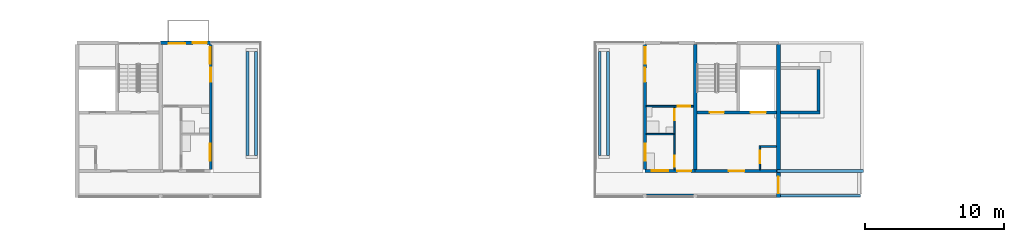
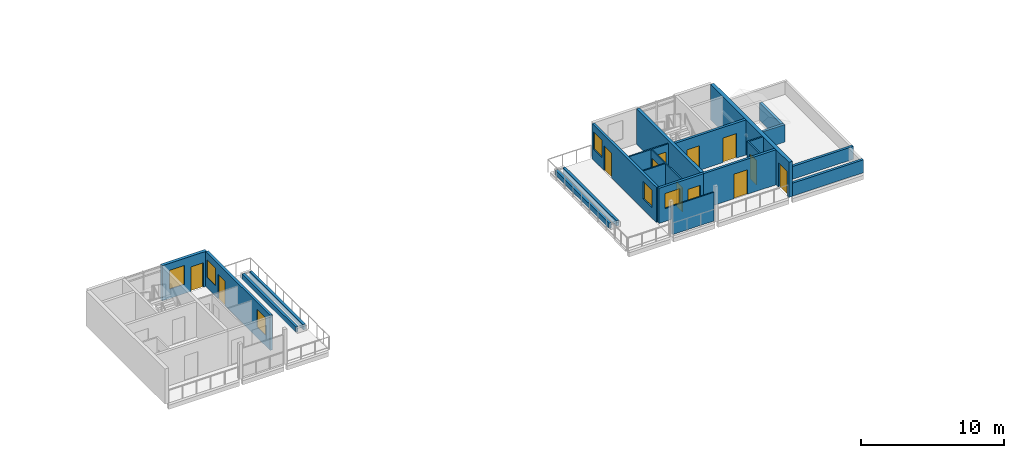
# One storey, part 22 of 33: 22 walls, 12 doors, 6 windows, 18 openings.
"""IFC4 building model written with IfcOpenShell, lengths in metres."""

from ifc_helpers import new_model, si_unit, direction, frame, frame_2d, origin, place, context, subcontext, project, spatial, rectangle, extrude, material, layer, layer_set, type_object, element, fill, save


model = new_model("IFC4")

# Units and contexts
model_context = context("Model", 3, precision=1e-05, world=origin(), true_north=direction((0.0, 1.0)))
body_context = subcontext(model_context, "Body", "Model", "MODEL_VIEW")
ifc_project = project(units=[si_unit("LENGTHUNIT", "METRE"), si_unit("AREAUNIT", "SQUARE_METRE"), si_unit("VOLUMEUNIT", "CUBIC_METRE"), si_unit("PLANEANGLEUNIT", "RADIAN"), si_unit("MASSUNIT", "GRAM", prefix="KILO")], contexts=[model_context])

# Site, building, storey
site_placement = place(None, origin())
site = spatial("IfcSite", under=ifc_project, at=site_placement, CompositionType="ELEMENT")
building_placement = place(site_placement, origin())
building = spatial("IfcBuilding", under=site, at=building_placement, Name="Ridgestep Commons", CompositionType="ELEMENT")
storey_placement = place(building_placement, frame((0.0, 0.0, 42.0)))
storey = spatial("IfcBuildingStorey", under=building, at=storey_placement, Name="L14", CompositionType="ELEMENT", Elevation=42.0)

# Wall
ifc_material_1 = material(Name="Concrete C30/37", Category="concrete")
ifc_layer_1 = layer(ifc_material_1, 0.25)
ifc_layer_set_1 = layer_set([ifc_layer_1], Name="Core cross wall 250")
wall_type_1 = type_object("IfcWallType", Name="Core cross wall 250", PredefinedType="SHEAR", material=ifc_layer_set_1)
wall_1_placement = place(storey_placement, frame((90.0, 13.75, 0.0), z_axis=(0.0, 0.0, 1.0), x_axis=(0.0, 1.0, 0.0)))
element("IfcWall", 1, at=wall_1_placement, inside=storey, type_object=wall_type_1, Name="Cross wall A-14-0900", PredefinedType="SHEAR", context=body_context, shape_type="SweptSolid", body=[
    extrude(rectangle(XDim=9.0, YDim=0.25, at=frame_2d((4.5, 0.0))), origin(), (0.0, 0.0, 1.0), 3.0),
])

# Wall, opening, door
ifc_material_2 = material(Name="Concrete C30/37", Category="concrete")
ifc_layer_2 = layer(ifc_material_2, 0.199951171875)
ifc_layer_set_2 = layer_set([ifc_layer_2], Name="Core south wall 200")
wall_type_2 = type_object("IfcWallType", Name="Core south wall 200", PredefinedType="SHEAR", material=ifc_layer_set_2)
wall_2_placement = place(storey_placement, frame((90.0, 13.64990234375, 0.0), z_axis=(0.0, 0.0, 1.0), x_axis=(1.0, 0.0, 0.0)))
wall_2 = element("IfcWall", 2, at=wall_2_placement, inside=storey, type_object=wall_type_2, Name="Core south wall A5C L14", PredefinedType="SHEAR", context=body_context, shape_type="SweptSolid", body=[
    extrude(rectangle(XDim=5.85009765625, YDim=0.199951171875, at=frame_2d((2.925048828125, 0.0))), origin(), (0.0, 0.0, 1.0), 3.0),
])
opening_1_placement = place(wall_2_placement, frame((2.4375, 0.0, 0.0)))
opening_1 = element("IfcOpeningElement", 3, at=opening_1_placement, cuts=wall_2, Name="Opening A5C/14/1", PredefinedType="OPENING", context=body_context, shape_type="SweptSolid", body=[
    extrude(rectangle(XDim=1.10009765625, YDim=2.10009765625, at=frame_2d((0.550048828125, 1.050048828125))), frame((0.0, 0.10986328125, 0.0), z_axis=(0.0, -1.0, 0.0), x_axis=(1.0, 0.0, 0.0)), (0.0, 0.0, 1.0), 0.219970703125),
])
ifc_material_3 = material(Name="Steel fire door", Category="steel")
door_type_1 = type_object("IfcDoorType", Name="Lobby door 1100 x 2100 FD60", OperationType="NOTDEFINED", PredefinedType="DOOR", material=ifc_material_3)
door_1_placement = place(opening_1_placement, origin())
door_1 = element("IfcDoor", 4, at=door_1_placement, inside=storey, type_object=door_type_1, Name="Lobby door A5C/14/1", OperationType="SINGLE_SWING_LEFT", OverallHeight=2.10009765625, OverallWidth=1.10009765625, PredefinedType="DOOR", context=body_context, shape_type="SweptSolid", body=[
    extrude(rectangle(XDim=1.10009765625, YDim=2.10009765625, at=frame_2d((0.550048828125, 1.050048828125))), frame((0.0, 0.02490234375, 0.0), z_axis=(0.0, -1.0, 0.0), x_axis=(1.0, 0.0, 0.0)), (0.0, 0.0, 1.0), 0.050048828125),
])
fill(opening_1, door_1)

ifc_material_4 = material(Name="Concrete C30/37", Category="concrete")
ifc_layer_3 = layer(ifc_material_4, 0.1201171875)
ifc_layer_set_3 = layer_set([ifc_layer_3], Name="Core wall 120")
wall_type_3 = type_object("IfcWallType", Name="Core wall 120", PredefinedType="SHEAR", material=ifc_layer_set_3)
wall_3_placement = place(storey_placement, frame((94.659912109375, 13.75, 0.0), z_axis=(0.0, 0.0, 1.0), x_axis=(0.0, 1.0, 0.0)))
wall_3 = element("IfcWall", 5, at=wall_3_placement, inside=storey, type_object=wall_type_3, Name="Core riser w wall A5C L14", PredefinedType="SHEAR", context=body_context, shape_type="SweptSolid", body=[
    extrude(rectangle(XDim=1.719970703125, YDim=0.1201171875, at=frame_2d((0.85986328125, 0.0))), origin(), (0.0, 0.0, 1.0), 3.0),
])
opening_2_placement = place(wall_3_placement, frame((0.449951171875, 0.0, 0.0)))
opening_2 = element("IfcOpeningElement", 6, at=opening_2_placement, cuts=wall_3, Name="Opening A5C/14/4", PredefinedType="OPENING", context=body_context, shape_type="SweptSolid", body=[
    extrude(rectangle(XDim=0.89990234375, YDim=2.10009765625, at=frame_2d((0.449951171875, 1.050048828125))), frame((0.0, 0.070068359375, 0.0), z_axis=(0.0, -1.0, 0.0), x_axis=(1.0, 0.0, 0.0)), (0.0, 0.0, 1.0), 0.14013671875),
])
ifc_material_5 = material(Name="Steel fire door", Category="steel")
door_type_2 = type_object("IfcDoorType", Name="Riser door 900 x 2100 FD60", OperationType="NOTDEFINED", PredefinedType="DOOR", material=ifc_material_5)
door_2_placement = place(opening_2_placement, origin())
door_2 = element("IfcDoor", 7, at=door_2_placement, inside=storey, type_object=door_type_2, Name="Riser door A5C/14/4", OperationType="SINGLE_SWING_LEFT", OverallHeight=2.10009765625, OverallWidth=0.89990234375, PredefinedType="DOOR", context=body_context, shape_type="SweptSolid", body=[
    extrude(rectangle(XDim=0.89990234375, YDim=2.10009765625, at=frame_2d((0.449951171875, 1.050048828125))), frame((0.0, 0.02490234375, 0.0), z_axis=(0.0, -1.0, 0.0), x_axis=(1.0, 0.0, 0.0)), (0.0, 0.0, 1.0), 0.050048828125),
])
fill(opening_2, door_2)

# Wall
wall_4_placement = place(storey_placement, frame((94.719970703125, 15.409912109375, 0.0), z_axis=(0.0, 0.0, 1.0), x_axis=(1.0, 0.0, 0.0)))
element("IfcWall", 8, at=wall_4_placement, inside=storey, type_object=wall_type_3, Name="Core riser n wall A5C L14", PredefinedType="SHEAR", context=body_context, shape_type="SweptSolid", body=[
    extrude(rectangle(XDim=1.130126953125, YDim=0.1201171875, at=frame_2d((0.56494140625, 0.0))), origin(), (0.0, 0.0, 1.0), 3.0),
])

# Wall, openings, doors
ifc_material_6 = material(Name="Concrete C30/37", Category="concrete")
ifc_layer_4 = layer(ifc_material_6, 0.199951171875)
ifc_layer_set_4 = layer_set([ifc_layer_4], Name="Core wall 200")
wall_type_4 = type_object("IfcWallType", Name="Core wall 200", PredefinedType="SHEAR", material=ifc_layer_set_4)
wall_5_placement = place(storey_placement, frame((90.125, 17.85009765625, 0.0), z_axis=(0.0, 0.0, 1.0), x_axis=(1.0, 0.0, 0.0)))
wall_5 = element("IfcWall", 9, at=wall_5_placement, inside=storey, type_object=wall_type_4, Name="Core lobby wall A5C L14", PredefinedType="SHEAR", context=body_context, shape_type="SweptSolid", body=[
    extrude(rectangle(XDim=5.72509765625, YDim=0.199951171875, at=frame_2d((2.862548828125, 0.0))), origin(), (0.0, 0.0, 1.0), 3.0),
])
opening_3_placement = place(wall_5_placement, frame((0.949951171875, 0.0, 0.0)))
opening_3 = element("IfcOpeningElement", 10, at=opening_3_placement, cuts=wall_5, Name="Opening A5C/14/2", PredefinedType="OPENING", context=body_context, shape_type="SweptSolid", body=[
    extrude(rectangle(XDim=1.0, YDim=2.10009765625, at=frame_2d((0.5, 1.050048828125))), frame((0.0, 0.10986328125, 0.0), z_axis=(0.0, -1.0, 0.0), x_axis=(1.0, 0.0, 0.0)), (0.0, 0.0, 1.0), 0.219970703125),
])
opening_4_placement = place(wall_5_placement, frame((3.862548828125, 0.0, 0.0)))
opening_4 = element("IfcOpeningElement", 11, at=opening_4_placement, cuts=wall_5, Name="Opening A5C/14/3", PredefinedType="OPENING", context=body_context, shape_type="SweptSolid", body=[
    extrude(rectangle(XDim=1.10009765625, YDim=2.10009765625, at=frame_2d((0.550048828125, 1.050048828125))), frame((0.0, 0.10986328125, 0.0), z_axis=(0.0, -1.0, 0.0), x_axis=(1.0, 0.0, 0.0)), (0.0, 0.0, 1.0), 0.219970703125),
])
ifc_material_7 = material(Name="Stainless steel", Category="steel")
door_type_3 = type_object("IfcDoorType", Name="Lift landing door 1100 x 2100 FD60", OperationType="DOUBLE_DOOR_SLIDING", PredefinedType="DOOR", material=ifc_material_7)
door_3_placement = place(opening_4_placement, origin())
door_3 = element("IfcDoor", 12, at=door_3_placement, inside=storey, type_object=door_type_3, Name="Landing door LD A5C L14", OperationType="DOUBLE_DOOR_SLIDING", OverallHeight=2.10009765625, OverallWidth=1.10009765625, PredefinedType="DOOR", context=body_context, shape_type="SweptSolid", body=[
    extrude(rectangle(XDim=1.10009765625, YDim=2.10009765625, at=frame_2d((0.550048828125, 1.050048828125))), frame((0.0, 0.02490234375, 0.0), z_axis=(0.0, -1.0, 0.0), x_axis=(1.0, 0.0, 0.0)), (0.0, 0.0, 1.0), 0.050048828125),
])
fill(opening_4, door_3)
ifc_material_8 = material(Name="Steel fire door", Category="steel")
door_type_4 = type_object("IfcDoorType", Name="Stair door 1000 x 2100 FD60", OperationType="NOTDEFINED", PredefinedType="DOOR", material=ifc_material_8)
door_4_placement = place(opening_3_placement, origin())
door_4 = element("IfcDoor", 13, at=door_4_placement, inside=storey, type_object=door_type_4, Name="Stair door A5C/14/2", OperationType="SINGLE_SWING_RIGHT", OverallHeight=2.10009765625, OverallWidth=1.0, PredefinedType="DOOR", context=body_context, shape_type="SweptSolid", body=[
    extrude(rectangle(XDim=1.0, YDim=2.10009765625, at=frame_2d((0.5, 1.050048828125))), frame((0.0, 0.02490234375, 0.0), z_axis=(0.0, -1.0, 0.0), x_axis=(1.0, 0.0, 0.0)), (0.0, 0.0, 1.0), 0.050048828125),
])
fill(opening_3, door_4)

# Wall, openings, windows, door
ifc_material_9 = material(Name="Precast concrete C40/50", Category="concrete")
ifc_layer_5 = layer(ifc_material_9, 0.199951171875)
ifc_layer_set_5 = layer_set([ifc_layer_5], Name="Exposed cross wall 200")
wall_type_5 = type_object("IfcWallType", Name="Exposed cross wall 200", PredefinedType="SHEAR", material=ifc_layer_set_5)
wall_6_placement = place(storey_placement, frame((55.199951171875, 13.75, 0.0), z_axis=(0.0, 0.0, 1.0), x_axis=(0.0, 1.0, 0.0)))
wall_6 = element("IfcWall", 14, at=wall_6_placement, inside=storey, type_object=wall_type_5, Name="Cross wall A-14-0552", PredefinedType="SHEAR", context=body_context, shape_type="SweptSolid", body=[
    extrude(rectangle(XDim=9.0, YDim=0.199951171875, at=frame_2d((4.5, 0.0))), origin(), (0.0, 0.0, 1.0), 3.0),
])
opening_5_placement = place(wall_6_placement, frame((0.64990234375, 0.0, 0.89990234375)))
opening_5 = element("IfcOpeningElement", 15, at=opening_5_placement, cuts=wall_6, Name="Opening W10", PredefinedType="OPENING", context=body_context, shape_type="SweptSolid", body=[
    extrude(rectangle(XDim=1.199951171875, YDim=1.5, at=frame_2d((0.60009765625, 0.75))), frame((0.0, 0.10986328125, 0.0), z_axis=(0.0, -1.0, 0.0), x_axis=(1.0, 0.0, 0.0)), (0.0, 0.0, 1.0), 0.219970703125),
])
opening_6_placement = place(wall_6_placement, frame((7.6025390625, 0.0, 0.89990234375)))
opening_6 = element("IfcOpeningElement", 16, at=opening_6_placement, cuts=wall_6, Name="Opening W10", PredefinedType="OPENING", context=body_context, shape_type="SweptSolid", body=[
    extrude(rectangle(XDim=1.199951171875, YDim=1.5, at=frame_2d((0.60009765625, 0.75))), frame((0.0, 0.10986328125, 0.0), z_axis=(0.0, -1.0, 0.0), x_axis=(1.0, 0.0, 0.0)), (0.0, 0.0, 1.0), 0.219970703125),
])
opening_7_placement = place(wall_6_placement, frame((6.304931640625, 0.0, 0.0)))
opening_7 = element("IfcOpeningElement", 17, at=opening_7_placement, cuts=wall_6, Name="Opening A3-14a/5", PredefinedType="OPENING", context=body_context, shape_type="SweptSolid", body=[
    extrude(rectangle(XDim=1.0, YDim=2.10009765625, at=frame_2d((0.5, 1.050048828125))), frame((0.0, 0.10986328125, 0.0), z_axis=(0.0, -1.0, 0.0), x_axis=(1.0, 0.0, 0.0)), (0.0, 0.0, 1.0), 0.219970703125),
])
ifc_material_10 = material(Name="Aluminium 6063-T6 and glass", Category="aluminium")
window_type_1 = type_object("IfcWindowType", Name="Flat window 1200 x 1500", PartitioningType="SINGLE_PANEL", PredefinedType="WINDOW", material=ifc_material_10)
window_1_placement = place(opening_5_placement, origin())
window_1 = element("IfcWindow", 18, at=window_1_placement, inside=storey, type_object=window_type_1, Name="Window A3-14a 3", OverallHeight=1.5, OverallWidth=1.199951171875, PartitioningType="SINGLE_PANEL", PredefinedType="WINDOW", context=body_context, shape_type="SweptSolid", body=[
    extrude(rectangle(XDim=1.199951171875, YDim=1.5, at=frame_2d((0.60009765625, 0.75))), frame((0.0, 0.06005859375, 0.0), z_axis=(0.0, -1.0, 0.0), x_axis=(1.0, 0.0, 0.0)), (0.0, 0.0, 1.0), 0.06005859375),
])
fill(opening_5, window_1)
window_2_placement = place(opening_6_placement, origin())
window_2 = element("IfcWindow", 19, at=window_2_placement, inside=storey, type_object=window_type_1, Name="Window A3-14a 4", OverallHeight=1.5, OverallWidth=1.199951171875, PartitioningType="SINGLE_PANEL", PredefinedType="WINDOW", context=body_context, shape_type="SweptSolid", body=[
    extrude(rectangle(XDim=1.199951171875, YDim=1.5, at=frame_2d((0.60009765625, 0.75))), frame((0.0, 0.06005859375, 0.0), z_axis=(0.0, -1.0, 0.0), x_axis=(1.0, 0.0, 0.0)), (0.0, 0.0, 1.0), 0.06005859375),
])
fill(opening_6, window_2)
ifc_material_11 = material(Name="Aluminium and glass", Category="aluminium")
door_type_5 = type_object("IfcDoorType", Name="Terrace door 1000 x 2100", OperationType="NOTDEFINED", PredefinedType="DOOR", material=ifc_material_11)
door_5_placement = place(opening_7_placement, origin())
door_5 = element("IfcDoor", 20, at=door_5_placement, inside=storey, type_object=door_type_5, Name="Terrace door A3-14a/5", OperationType="SINGLE_SWING_LEFT", OverallHeight=2.10009765625, OverallWidth=1.0, PredefinedType="DOOR", context=body_context, shape_type="SweptSolid", body=[
    extrude(rectangle(XDim=1.0, YDim=2.10009765625, at=frame_2d((0.5, 1.050048828125))), frame((0.0, 0.02490234375, 0.0), z_axis=(0.0, -1.0, 0.0), x_axis=(1.0, 0.0, 0.0)), (0.0, 0.0, 1.0), 0.050048828125),
])
fill(opening_7, door_5)

wall_7_placement = place(storey_placement, frame((86.39990234375, 13.75, 0.0), z_axis=(0.0, 0.0, 1.0), x_axis=(0.0, 1.0, 0.0)))
wall_7 = element("IfcWall", 21, at=wall_7_placement, inside=storey, type_object=wall_type_5, Name="Cross wall A-14-0864", PredefinedType="SHEAR", context=body_context, shape_type="SweptSolid", body=[
    extrude(rectangle(XDim=9.0, YDim=0.199951171875, at=frame_2d((4.5, 0.0))), origin(), (0.0, 0.0, 1.0), 3.0),
])
opening_8_placement = place(wall_7_placement, frame((0.64990234375, 0.0, 0.89990234375)))
opening_8 = element("IfcOpeningElement", 22, at=opening_8_placement, cuts=wall_7, Name="Opening W10", PredefinedType="OPENING", context=body_context, shape_type="SweptSolid", body=[
    extrude(rectangle(XDim=1.199951171875, YDim=1.5, at=frame_2d((0.60009765625, 0.75))), frame((0.0, 0.10986328125, 0.0), z_axis=(0.0, -1.0, 0.0), x_axis=(1.0, 0.0, 0.0)), (0.0, 0.0, 1.0), 0.219970703125),
])
opening_9_placement = place(wall_7_placement, frame((7.6025390625, 0.0, 0.89990234375)))
opening_9 = element("IfcOpeningElement", 23, at=opening_9_placement, cuts=wall_7, Name="Opening W10", PredefinedType="OPENING", context=body_context, shape_type="SweptSolid", body=[
    extrude(rectangle(XDim=1.199951171875, YDim=1.5, at=frame_2d((0.60009765625, 0.75))), frame((0.0, 0.10986328125, 0.0), z_axis=(0.0, -1.0, 0.0), x_axis=(1.0, 0.0, 0.0)), (0.0, 0.0, 1.0), 0.219970703125),
])
opening_10_placement = place(wall_7_placement, frame((6.304931640625, 0.0, 0.0)))
opening_10 = element("IfcOpeningElement", 24, at=opening_10_placement, cuts=wall_7, Name="Opening A5-14a/5", PredefinedType="OPENING", context=body_context, shape_type="SweptSolid", body=[
    extrude(rectangle(XDim=1.0, YDim=2.10009765625, at=frame_2d((0.5, 1.050048828125))), frame((0.0, 0.10986328125, 0.0), z_axis=(0.0, -1.0, 0.0), x_axis=(1.0, 0.0, 0.0)), (0.0, 0.0, 1.0), 0.219970703125),
])
window_3_placement = place(opening_8_placement, origin())
window_3 = element("IfcWindow", 25, at=window_3_placement, inside=storey, type_object=window_type_1, Name="Window A5-14a 3", OverallHeight=1.5, OverallWidth=1.199951171875, PartitioningType="SINGLE_PANEL", PredefinedType="WINDOW", context=body_context, shape_type="SweptSolid", body=[
    extrude(rectangle(XDim=1.199951171875, YDim=1.5, at=frame_2d((0.60009765625, 0.75))), frame((0.0, 0.0, 0.0), z_axis=(0.0, -1.0, 0.0), x_axis=(1.0, 0.0, 0.0)), (0.0, 0.0, 1.0), 0.06005859375),
])
fill(opening_8, window_3)
window_4_placement = place(opening_9_placement, origin())
window_4 = element("IfcWindow", 26, at=window_4_placement, inside=storey, type_object=window_type_1, Name="Window A5-14a 4", OverallHeight=1.5, OverallWidth=1.199951171875, PartitioningType="SINGLE_PANEL", PredefinedType="WINDOW", context=body_context, shape_type="SweptSolid", body=[
    extrude(rectangle(XDim=1.199951171875, YDim=1.5, at=frame_2d((0.60009765625, 0.75))), frame((0.0, 0.0, 0.0), z_axis=(0.0, -1.0, 0.0), x_axis=(1.0, 0.0, 0.0)), (0.0, 0.0, 1.0), 0.06005859375),
])
fill(opening_9, window_4)
door_6_placement = place(opening_10_placement, origin())
door_6 = element("IfcDoor", 27, at=door_6_placement, inside=storey, type_object=door_type_5, Name="Terrace door A5-14a/5", OperationType="SINGLE_SWING_RIGHT", OverallHeight=2.10009765625, OverallWidth=1.0, PredefinedType="DOOR", context=body_context, shape_type="SweptSolid", body=[
    extrude(rectangle(XDim=1.0, YDim=2.10009765625, at=frame_2d((0.5, 1.050048828125))), frame((0.0, 0.02490234375, 0.0), z_axis=(0.0, -1.0, 0.0), x_axis=(1.0, 0.0, 0.0)), (0.0, 0.0, 1.0), 0.050048828125),
])
fill(opening_10, door_6)

# Wall, opening, door
ifc_material_12 = material(Name="Precast concrete C40/50", Category="concrete")
ifc_layer_6 = layer(ifc_material_12, 0.300048828125)
ifc_layer_set_6 = layer_set([ifc_layer_6], Name="Exposed division wall 300")
wall_type_6 = type_object("IfcWallType", Name="Exposed division wall 300", PredefinedType="SHEAR", material=ifc_layer_set_6)
wall_8_placement = place(storey_placement, frame((96.0, 11.75, 0.0), z_axis=(0.0, 0.0, 1.0), x_axis=(0.0, 1.0, 0.0)))
wall_8 = element("IfcWall", 28, at=wall_8_placement, inside=storey, type_object=wall_type_6, Name="Cross wall A-14-0960", PredefinedType="SHEAR", context=body_context, shape_type="SweptSolid", body=[
    extrude(rectangle(XDim=11.0, YDim=0.300048828125, at=frame_2d((5.5, 0.0))), origin(), (0.0, 0.0, 1.0), 3.0),
])
opening_11_placement = place(wall_8_placement, frame((0.300048828125, 0.0, 0.0)))
opening_11 = element("IfcOpeningElement", 29, at=opening_11_placement, cuts=wall_8, Name="Opening A/14/G0960", PredefinedType="OPENING", context=body_context, shape_type="SweptSolid", body=[
    extrude(rectangle(XDim=1.199951171875, YDim=2.10009765625, at=frame_2d((0.60009765625, 1.050048828125))), frame((0.0, 0.159912109375, 0.0), z_axis=(0.0, -1.0, 0.0), x_axis=(1.0, 0.0, 0.0)), (0.0, 0.0, 1.0), 0.320068359375),
])
ifc_material_13 = material(Name="Steel fire door", Category="steel")
door_type_6 = type_object("IfcDoorType", Name="Division fire door 1200 x 2100 EI 240", OperationType="DOUBLE_DOOR_SINGLE_SWING", PredefinedType="DOOR", material=ifc_material_13)
door_7_placement = place(opening_11_placement, origin())
door_7 = element("IfcDoor", 30, at=door_7_placement, inside=storey, type_object=door_type_6, Name="Division fire door A/14/G0960", OperationType="DOUBLE_DOOR_SINGLE_SWING", OverallHeight=2.10009765625, OverallWidth=1.199951171875, PredefinedType="DOOR", context=body_context, shape_type="SweptSolid", body=[
    extrude(rectangle(XDim=1.199951171875, YDim=2.10009765625, at=frame_2d((0.60009765625, 1.050048828125))), frame((0.0, 0.02490234375, 0.0), z_axis=(0.0, -1.0, 0.0), x_axis=(1.0, 0.0, 0.0)), (0.0, 0.0, 1.0), 0.050048828125),
])
fill(opening_11, door_7)

# Walls
ifc_material_14 = material(Name="Concrete C30/37", Category="concrete")
ifc_layer_7 = layer(ifc_material_14, 0.199951171875)
ifc_layer_set_7 = layer_set([ifc_layer_7], Name="Lift overrun wall 200")
wall_type_7 = type_object("IfcWallType", Name="Lift overrun wall 200", PredefinedType="SHEAR", material=ifc_layer_set_7)
wall_9_placement = place(storey_placement, frame((96.14990234375, 17.85009765625, 0.0), z_axis=(0.0, 0.0, 1.0), x_axis=(1.0, 0.0, 0.0)))
element("IfcWall", 31, at=wall_9_placement, inside=storey, type_object=wall_type_7, Name="Lift overrun wall A6C", PredefinedType="SHEAR", context=body_context, shape_type="SweptSolid", body=[
    extrude(rectangle(XDim=2.8251953125, YDim=0.199951171875, at=frame_2d((1.41259765625, 0.0))), origin(), (0.0, 0.0, 1.0), 1.5),
])
wall_10_placement = place(storey_placement, frame((98.875, 17.949951171875, 0.0), z_axis=(0.0, 0.0, 1.0), x_axis=(0.0, 1.0, 0.0)))
element("IfcWall", 32, at=wall_10_placement, inside=storey, type_object=wall_type_7, Name="Lift overrun wall A6C", PredefinedType="SHEAR", context=body_context, shape_type="SweptSolid", body=[
    extrude(rectangle(XDim=3.0, YDim=0.199951171875, at=frame_2d((1.5, 0.0))), origin(), (0.0, 0.0, 1.0), 1.5),
])

# Wall, openings, door, window
ifc_material_15 = material(Name="Precast concrete C40/50", Category="concrete")
ifc_layer_8 = layer(ifc_material_15, 0.25)
ifc_layer_set_8 = layer_set([ifc_layer_8], Name="North facade panel 250")
wall_type_8 = type_object("IfcWallType", Name="North facade panel 250", PredefinedType="SOLIDWALL", material=ifc_layer_set_8)
wall_11_placement = place(storey_placement, frame((51.60009765625, 22.875, 0.0), z_axis=(0.0, 0.0, 1.0), x_axis=(1.0, 0.0, 0.0)))
wall_11 = element("IfcWall", 33, at=wall_11_placement, inside=storey, type_object=wall_type_8, Name="North panel A3T3 L14", PredefinedType="SOLIDWALL", context=body_context, shape_type="SweptSolid", body=[
    extrude(rectangle(XDim=3.599853515625, YDim=0.25, at=frame_2d((1.7998046875, 0.0))), origin(), (0.0, 0.0, 1.0), 3.0),
])
opening_12_placement = place(wall_11_placement, frame((0.572021484375, 0.0, 0.800048828125)))
opening_12 = element("IfcOpeningElement", 34, at=opening_12_placement, cuts=wall_11, Name="Opening W11", PredefinedType="OPENING", context=body_context, shape_type="SweptSolid", body=[
    extrude(rectangle(XDim=1.199951171875, YDim=1.60009765625, at=frame_2d((0.60009765625, 0.800048828125))), frame((0.0, 0.135009765625, 0.0), z_axis=(0.0, -1.0, 0.0), x_axis=(1.0, 0.0, 0.0)), (0.0, 0.0, 1.0), 0.27001953125),
])
opening_13_placement = place(wall_11_placement, frame((2.319091796875, 0.0, 0.0)))
opening_13 = element("IfcOpeningElement", 35, at=opening_13_placement, cuts=wall_11, Name="Opening A3-14a/6", PredefinedType="OPENING", context=body_context, shape_type="SweptSolid", body=[
    extrude(rectangle(XDim=1.0, YDim=2.10009765625, at=frame_2d((0.5, 1.050048828125))), frame((0.0, 0.135009765625, 0.0), z_axis=(0.0, -1.0, 0.0), x_axis=(1.0, 0.0, 0.0)), (0.0, 0.0, 1.0), 0.27001953125),
])
ifc_material_16 = material(Name="Aluminium and glass", Category="aluminium")
door_type_7 = type_object("IfcDoorType", Name="Balcony door 1000 x 2100", OperationType="NOTDEFINED", PredefinedType="DOOR", material=ifc_material_16)
door_8_placement = place(opening_13_placement, origin())
door_8 = element("IfcDoor", 36, at=door_8_placement, inside=storey, type_object=door_type_7, Name="Balcony door A3-14a/6", OperationType="SINGLE_SWING_LEFT", OverallHeight=2.10009765625, OverallWidth=1.0, PredefinedType="DOOR", context=body_context, shape_type="SweptSolid", body=[
    extrude(rectangle(XDim=1.0, YDim=2.10009765625, at=frame_2d((0.5, 1.050048828125))), frame((0.0, 0.02490234375, 0.0), z_axis=(0.0, -1.0, 0.0), x_axis=(1.0, 0.0, 0.0)), (0.0, 0.0, 1.0), 0.050048828125),
])
fill(opening_13, door_8)
ifc_material_17 = material(Name="Aluminium 6063-T6 and glass", Category="aluminium")
window_type_2 = type_object("IfcWindowType", Name="Flat window 1200 x 1600", PartitioningType="SINGLE_PANEL", PredefinedType="WINDOW", material=ifc_material_17)
window_5_placement = place(opening_12_placement, origin())
window_5 = element("IfcWindow", 37, at=window_5_placement, inside=storey, type_object=window_type_2, Name="Window A3-14a 2", OverallHeight=1.60009765625, OverallWidth=1.199951171875, PartitioningType="SINGLE_PANEL", PredefinedType="WINDOW", context=body_context, shape_type="SweptSolid", body=[
    extrude(rectangle(XDim=1.199951171875, YDim=1.60009765625, at=frame_2d((0.60009765625, 0.800048828125))), frame((0.0, -0.02490234375, 0.0), z_axis=(0.0, -1.0, 0.0), x_axis=(1.0, 0.0, 0.0)), (0.0, 0.0, 1.0), 0.06005859375),
])
fill(opening_12, window_5)

# Walls
ifc_material_18 = material(Name="Precast concrete C40/50", Category="concrete")
ifc_layer_9 = layer(ifc_material_18, 0.199951171875)
ifc_layer_set_9 = layer_set([ifc_layer_9], Name="Parapet wall 200")
wall_type_9 = type_object("IfcWallType", Name="Parapet wall 200", PredefinedType="PARAPET", material=ifc_layer_set_9)
wall_12_placement = place(storey_placement, frame((95.89990234375, 13.64990234375, 0.0), z_axis=(0.0, 0.0, 1.0), x_axis=(1.0, 0.0, 0.0)))
element("IfcWall", 38, at=wall_12_placement, inside=storey, type_object=wall_type_9, Name="Parapet A6C south", PredefinedType="PARAPET", context=body_context, shape_type="SweptSolid", body=[
    extrude(rectangle(XDim=6.2001953125, YDim=0.199951171875, at=frame_2d((3.10009765625, 0.0))), origin(), (0.0, 0.0, 1.0), 1.10009765625),
])
wall_13_placement = place(storey_placement, frame((96.125, 11.875, 0.0), z_axis=(0.0, 0.0, 1.0), x_axis=(1.0, 0.0, 0.0)))
element("IfcWall", 39, at=wall_13_placement, inside=storey, type_object=wall_type_9, Name="Parapet A6C gallery south", PredefinedType="PARAPET", context=body_context, shape_type="SweptSolid", body=[
    extrude(rectangle(XDim=5.75, YDim=0.199951171875, at=frame_2d((2.875, 0.0))), origin(), (0.0, 0.0, 1.0), 1.10009765625),
])
ifc_material_19 = material(Name="Common brick 110 mm", Category="masonry")
ifc_layer_10 = layer(ifc_material_19, 0.110107421875)
ifc_layer_set_10 = layer_set([ifc_layer_10], Name="Partition 110")
wall_type_10 = type_object("IfcWallType", Name="Partition 110", PredefinedType="PARTITIONING", material=ifc_layer_set_10)
wall_14_placement = place(storey_placement, frame((86.5, 16.304931640625, 0.0), z_axis=(0.0, 0.0, 1.0), x_axis=(1.0, 0.0, 0.0)))
element("IfcWall", 40, at=wall_14_placement, inside=storey, type_object=wall_type_10, Name="Partition A5-14a", PredefinedType="PARTITIONING", context=body_context, shape_type="SweptSolid", body=[
    extrude(rectangle(XDim=1.965087890625, YDim=0.110107421875, at=frame_2d((0.982421875, 0.0))), origin(), (0.0, 0.0, 1.0), 2.75),
])

# Wall, openings, doors
wall_15_placement = place(storey_placement, frame((88.52001953125, 13.75, 0.0), z_axis=(0.0, 0.0, 1.0), x_axis=(0.0, 1.0, 0.0)))
wall_15 = element("IfcWall", 41, at=wall_15_placement, inside=storey, type_object=wall_type_10, Name="Partition A5-14a", PredefinedType="PARTITIONING", context=body_context, shape_type="SweptSolid", body=[
    extrude(rectangle(XDim=4.5, YDim=0.110107421875, at=frame_2d((2.25, 0.0))), origin(), (0.0, 0.0, 1.0), 2.75),
])
opening_14_placement = place(wall_15_placement, frame((0.199951171875, 0.0, 0.0)))
opening_14 = element("IfcOpeningElement", 42, at=opening_14_placement, cuts=wall_15, Name="Opening A5-14a/2", PredefinedType="OPENING", context=body_context, shape_type="SweptSolid", body=[
    extrude(rectangle(XDim=0.800048828125, YDim=2.10009765625, at=frame_2d((0.39990234375, 1.050048828125))), frame((0.0, 0.06494140625, 0.0), z_axis=(0.0, -1.0, 0.0), x_axis=(1.0, 0.0, 0.0)), (0.0, 0.0, 1.0), 0.130126953125),
])
opening_15_placement = place(wall_15_placement, frame((3.550048828125, 0.0, 0.0)))
opening_15 = element("IfcOpeningElement", 43, at=opening_15_placement, cuts=wall_15, Name="Opening A5-14a/3", PredefinedType="OPENING", context=body_context, shape_type="SweptSolid", body=[
    extrude(rectangle(XDim=0.800048828125, YDim=2.10009765625, at=frame_2d((0.39990234375, 1.050048828125))), frame((0.0, 0.06494140625, 0.0), z_axis=(0.0, -1.0, 0.0), x_axis=(1.0, 0.0, 0.0)), (0.0, 0.0, 1.0), 0.130126953125),
])
ifc_material_20 = material(Name="Timber door leaf", Category="wood")
door_type_8 = type_object("IfcDoorType", Name="Internal door 800 x 2100", OperationType="NOTDEFINED", PredefinedType="DOOR", material=ifc_material_20)
door_9_placement = place(opening_14_placement, origin())
door_9 = element("IfcDoor", 44, at=door_9_placement, inside=storey, type_object=door_type_8, Name="Internal door A5-14a/2", OperationType="SINGLE_SWING_LEFT", OverallHeight=2.10009765625, OverallWidth=0.800048828125, PredefinedType="DOOR", context=body_context, shape_type="SweptSolid", body=[
    extrude(rectangle(XDim=0.800048828125, YDim=2.10009765625, at=frame_2d((0.39990234375, 1.050048828125))), frame((0.0, 0.02490234375, 0.0), z_axis=(0.0, -1.0, 0.0), x_axis=(1.0, 0.0, 0.0)), (0.0, 0.0, 1.0), 0.050048828125),
])
fill(opening_14, door_9)
door_10_placement = place(opening_15_placement, origin())
door_10 = element("IfcDoor", 45, at=door_10_placement, inside=storey, type_object=door_type_8, Name="Internal door A5-14a/3", OperationType="SINGLE_SWING_RIGHT", OverallHeight=2.10009765625, OverallWidth=0.800048828125, PredefinedType="DOOR", context=body_context, shape_type="SweptSolid", body=[
    extrude(rectangle(XDim=0.800048828125, YDim=2.10009765625, at=frame_2d((0.39990234375, 1.050048828125))), frame((0.0, 0.02490234375, 0.0), z_axis=(0.0, -1.0, 0.0), x_axis=(1.0, 0.0, 0.0)), (0.0, 0.0, 1.0), 0.050048828125),
])
fill(opening_15, door_10)

# Wall, opening, door
wall_16_placement = place(storey_placement, frame((86.5, 18.304931640625, 0.0), z_axis=(0.0, 0.0, 1.0), x_axis=(1.0, 0.0, 0.0)))
wall_16 = element("IfcWall", 46, at=wall_16_placement, inside=storey, type_object=wall_type_10, Name="Partition A5-14a", PredefinedType="PARTITIONING", context=body_context, shape_type="SweptSolid", body=[
    extrude(rectangle(XDim=3.375, YDim=0.110107421875, at=frame_2d((1.6875, 0.0))), origin(), (0.0, 0.0, 1.0), 2.75),
])
opening_16_placement = place(wall_16_placement, frame((2.27490234375, 0.0, 0.0)))
opening_16 = element("IfcOpeningElement", 47, at=opening_16_placement, cuts=wall_16, Name="Opening A5-14a/4", PredefinedType="OPENING", context=body_context, shape_type="SweptSolid", body=[
    extrude(rectangle(XDim=0.89990234375, YDim=2.10009765625, at=frame_2d((0.449951171875, 1.050048828125))), frame((0.0, 0.06494140625, 0.0), z_axis=(0.0, -1.0, 0.0), x_axis=(1.0, 0.0, 0.0)), (0.0, 0.0, 1.0), 0.130126953125),
])
ifc_material_21 = material(Name="Timber door leaf", Category="wood")
door_type_9 = type_object("IfcDoorType", Name="Internal door 900 x 2100", OperationType="NOTDEFINED", PredefinedType="DOOR", material=ifc_material_21)
door_11_placement = place(opening_16_placement, origin())
door_11 = element("IfcDoor", 48, at=door_11_placement, inside=storey, type_object=door_type_9, Name="Internal door A5-14a/4", OperationType="SINGLE_SWING_LEFT", OverallHeight=2.10009765625, OverallWidth=0.89990234375, PredefinedType="DOOR", context=body_context, shape_type="SweptSolid", body=[
    extrude(rectangle(XDim=0.89990234375, YDim=2.10009765625, at=frame_2d((0.449951171875, 1.050048828125))), frame((0.0, 0.02490234375, 0.0), z_axis=(0.0, -1.0, 0.0), x_axis=(1.0, 0.0, 0.0)), (0.0, 0.0, 1.0), 0.050048828125),
])
fill(opening_16, door_11)

# Walls
ifc_material_22 = material(Name="Precast concrete C30/37", Category="concrete")
ifc_layer_11 = layer(ifc_material_22, 0.10009765625)
ifc_layer_set_11 = layer_set([ifc_layer_11], Name="Perforated gallery screen 3350 x 2450 x 100")
wall_type_11 = type_object("IfcWallType", Name="Perforated gallery screen 3350 x 2450 x 100", PredefinedType="SOLIDWALL", material=ifc_layer_set_11)
wall_17_placement = place(storey_placement, frame((86.52490234375, 11.949951171875, 0.0), z_axis=(0.0, 0.0, 1.0), x_axis=(1.0, 0.0, 0.0)))
element("IfcWall", 49, at=wall_17_placement, inside=storey, type_object=wall_type_11, Name="Gallery screen A5T3 14", PredefinedType="SOLIDWALL", context=body_context, shape_type="SweptSolid", body=[
    extrude(rectangle(XDim=3.35009765625, YDim=0.10009765625, at=frame_2d((1.675048828125, 0.0))), origin(), (0.0, 0.0, 1.0), 2.449951171875),
])
ifc_material_23 = material(Name="Facing brick", Category="masonry")
ifc_layer_12 = layer(ifc_material_23, 0.199951171875)
ifc_layer_set_12 = layer_set([ifc_layer_12], Name="Planter wall 200")
wall_type_12 = type_object("IfcWallType", Name="Planter wall 200", PredefinedType="SOLIDWALL", material=ifc_layer_set_12)
for number, where, z_axis, x_axis, name in (
    (50, (57.85009765625, 14.75, 0.010009765625), (0.0, 0.0, 1.0), (0.0, 1.0, 0.0), "Planter wall A3R2W"),
    (51, (58.449951171875, 14.75, 0.010009765625), (0.0, 0.0, 1.0), (0.0, 1.0, 0.0), "Planter wall A3R2E"),
    (52, (83.14990234375, 14.75, 0.010009765625), (0.0, 0.0, 1.0), (0.0, 1.0, 0.0), "Planter wall A5R2W"),
    (53, (83.75, 14.75, 0.010009765625), (0.0, 0.0, 1.0), (0.0, 1.0, 0.0), "Planter wall A5R2E"),
):
    element("IfcWall", number, at=place(storey_placement, frame(where, z_axis=z_axis, x_axis=x_axis)), inside=storey, type_object=wall_type_12, Name=name, PredefinedType="SOLIDWALL", context=body_context, shape_type="SweptSolid", body=[
        extrude(rectangle(XDim=7.5, YDim=0.199951171875, at=frame_2d((3.75, 0.0))), origin(), (0.0, 0.0, 1.0), 0.449951171875),
    ])

# Wall, openings, door, window
ifc_material_24 = material(Name="Precast concrete C40/50", Category="concrete")
ifc_layer_13 = layer(ifc_material_24, 0.199951171875)
ifc_layer_set_13 = layer_set([ifc_layer_13], Name="South facade panel 200")
wall_type_13 = type_object("IfcWallType", Name="South facade panel 200", PredefinedType="SOLIDWALL", material=ifc_layer_set_13)
wall_18_placement = place(storey_placement, frame((86.39990234375, 13.64990234375, 0.0), z_axis=(0.0, 0.0, 1.0), x_axis=(1.0, 0.0, 0.0)))
wall_18 = element("IfcWall", 54, at=wall_18_placement, inside=storey, type_object=wall_type_13, Name="South panel A5T3 L14", PredefinedType="SOLIDWALL", context=body_context, shape_type="SweptSolid", body=[
    extrude(rectangle(XDim=3.60009765625, YDim=0.199951171875, at=frame_2d((1.800048828125, 0.0))), origin(), (0.0, 0.0, 1.0), 3.0),
])
opening_17_placement = place(wall_18_placement, frame((0.482421875, 0.0, 1.10009765625)))
opening_17 = element("IfcOpeningElement", 55, at=opening_17_placement, cuts=wall_18, Name="Opening W08", PredefinedType="OPENING", context=body_context, shape_type="SweptSolid", body=[
    extrude(rectangle(XDim=1.199951171875, YDim=1.300048828125, at=frame_2d((0.60009765625, 0.64990234375))), frame((0.0, 0.10986328125, 0.0), z_axis=(0.0, -1.0, 0.0), x_axis=(1.0, 0.0, 0.0)), (0.0, 0.0, 1.0), 0.219970703125),
])
opening_18_placement = place(wall_18_placement, frame((2.324951171875, 0.0, 0.0)))
opening_18 = element("IfcOpeningElement", 56, at=opening_18_placement, cuts=wall_18, Name="Opening A5-14a/1", PredefinedType="OPENING", context=body_context, shape_type="SweptSolid", body=[
    extrude(rectangle(XDim=1.0, YDim=2.10009765625, at=frame_2d((0.5, 1.050048828125))), frame((0.0, 0.10986328125, 0.0), z_axis=(0.0, -1.0, 0.0), x_axis=(1.0, 0.0, 0.0)), (0.0, 0.0, 1.0), 0.219970703125),
])
ifc_material_25 = material(Name="Timber door leaf", Category="wood")
door_type_10 = type_object("IfcDoorType", Name="Flat entrance door 1000 x 2100 FD30S", OperationType="NOTDEFINED", PredefinedType="DOOR", material=ifc_material_25)
door_12_placement = place(opening_18_placement, origin())
door_12 = element("IfcDoor", 57, at=door_12_placement, inside=storey, type_object=door_type_10, Name="Flat entrance door A5-14a/1", OperationType="SINGLE_SWING_RIGHT", OverallHeight=2.10009765625, OverallWidth=1.0, PredefinedType="DOOR", context=body_context, shape_type="SweptSolid", body=[
    extrude(rectangle(XDim=1.0, YDim=2.10009765625, at=frame_2d((0.5, 1.050048828125))), frame((0.0, 0.02490234375, 0.0), z_axis=(0.0, -1.0, 0.0), x_axis=(1.0, 0.0, 0.0)), (0.0, 0.0, 1.0), 0.050048828125),
])
fill(opening_18, door_12)
ifc_material_26 = material(Name="Aluminium 6063-T6 and glass", Category="aluminium")
window_type_3 = type_object("IfcWindowType", Name="Flat window 1200 x 1300", PartitioningType="SINGLE_PANEL", PredefinedType="WINDOW", material=ifc_material_26)
window_6_placement = place(opening_17_placement, origin())
window_6 = element("IfcWindow", 58, at=window_6_placement, inside=storey, type_object=window_type_3, Name="Window A5-14a 1", OverallHeight=1.300048828125, OverallWidth=1.199951171875, PartitioningType="SINGLE_PANEL", PredefinedType="WINDOW", context=body_context, shape_type="SweptSolid", body=[
    extrude(rectangle(XDim=1.199951171875, YDim=1.300048828125, at=frame_2d((0.60009765625, 0.64990234375))), frame((0.0, 0.06005859375, 0.0), z_axis=(0.0, -1.0, 0.0), x_axis=(1.0, 0.0, 0.0)), (0.0, 0.0, 1.0), 0.06005859375),
])
fill(opening_17, window_6)

save(model, "model.ifc")
